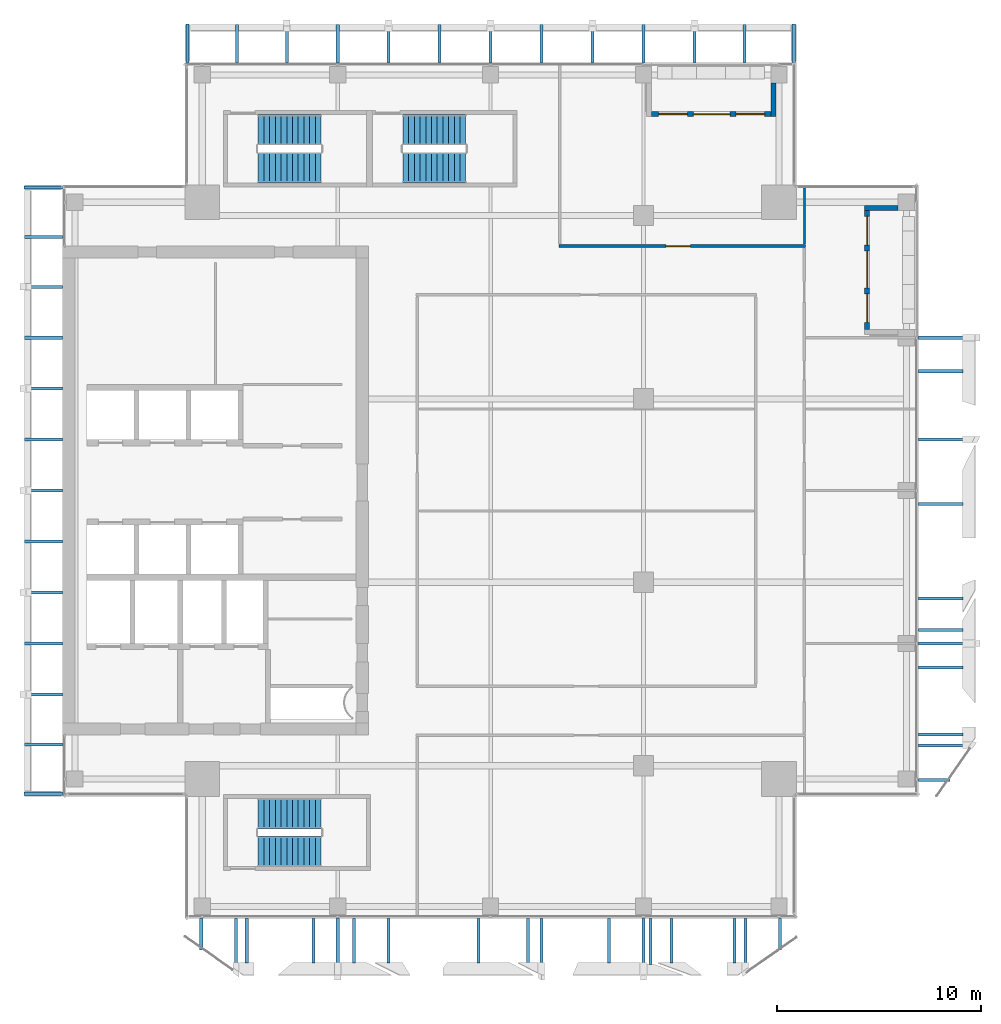
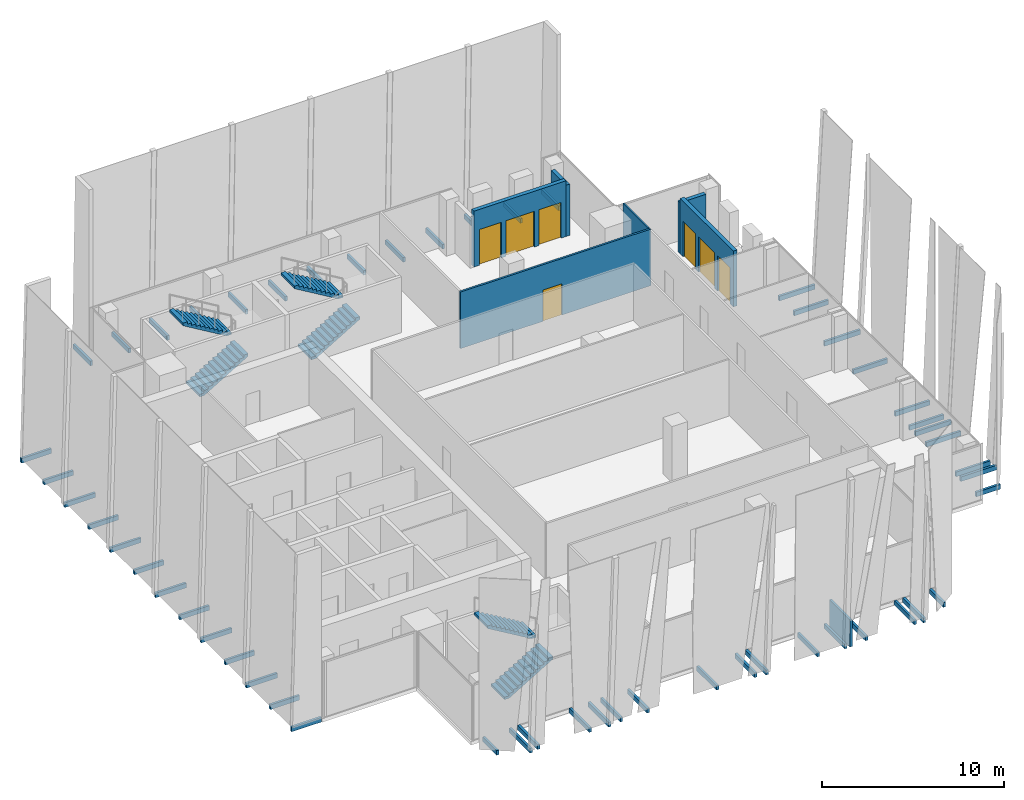
# One storey, part 28 of 32: 54 discrete accessories, 6 stair flights, 6 walls, 4 windows, 3 doors, 7 openings, 3 elements without a shape of their own.
"""IFC4 building model written with IfcOpenShell, lengths in metres."""

from ifc_helpers import new_model, si_unit, direction, frame, frame_2d, origin, origin_2d, place, context, subcontext, project, spatial, polyline, rectangle, outline, extrude, source, transform, mapped, material, layer, layer_set, type_object, element, fill, aggregate, save


model = new_model("IFC4")

# Units and contexts
model_context = context("Model", 3, precision=1e-05, world=origin(), true_north=direction((0.0, 1.0)))
body_context = subcontext(model_context, "Body", "Model", "MODEL_VIEW")
ifc_project = project(units=[si_unit("LENGTHUNIT", "METRE"), si_unit("AREAUNIT", "SQUARE_METRE"), si_unit("VOLUMEUNIT", "CUBIC_METRE"), si_unit("PLANEANGLEUNIT", "RADIAN"), si_unit("MASSUNIT", "GRAM", prefix="KILO")], contexts=[model_context])

# Site, building, storey
site_placement = place(None, origin())
site = spatial("IfcSite", under=ifc_project, at=site_placement, CompositionType="ELEMENT")
building_placement = place(site_placement, origin())
building = spatial("IfcBuilding", under=site, at=building_placement, Name="Khomas Fold Tower", CompositionType="ELEMENT")
storey_placement = place(building_placement, frame((0.0, 0.0, 306.199951171875)))
storey = spatial("IfcBuildingStorey", under=building, at=storey_placement, Name="L69", CompositionType="ELEMENT", Elevation=306.199951171875)

# Wall, openings, door, windows
ifc_material_1 = material(Name="Natural stone", Category="masonry")
ifc_layer_1 = layer(ifc_material_1, 0.0400390625)
ifc_material_2 = material(Name="Mineral wool insulation", Category="insulation")
ifc_layer_2 = layer(ifc_material_2, 0.10009765625)
ifc_material_3 = material(Name="Masonry", Category="masonry")
ifc_layer_3 = layer(ifc_material_3, 0.110107421875)
ifc_layer_set_1 = layer_set([ifc_layer_1, ifc_layer_2, ifc_layer_3], Name="Stone-faced insulated masonry")
wall_type_1 = type_object("IfcWallType", Name="BL-Balcony wall", PredefinedType="SOLIDWALL", material=ifc_layer_set_1)
shared_shape_1 = source(origin(), body_context, "Body", "SweptSolid", [
    extrude(rectangle(XDim=5.85009765625, YDim=0.25, at=frame_2d((2.925048828125, 0.0))), origin(), (0.0, 0.0, 1.0), 3.75),
])
wall_1_placement = place(storey_placement, frame((45.47509765625, 34.89990234375, 0.0), z_axis=(0.0, 0.0, 1.0), x_axis=(0.0, 1.0, 0.0)))
wall_1 = element("IfcWall", 1, at=wall_1_placement, inside=storey, type_object=wall_type_1, Name="Balcony wall BAL-L69-E4", PredefinedType="SOLIDWALL", context=body_context, shape_type="MappedRepresentation", body=[
    mapped(shared_shape_1, transform((0.0, 0.0, 0.0))),
])
shared_shape_2 = source(origin(), body_context, "Body", "SweptSolid", [
    extrude(rectangle(XDim=1.39990234375, YDim=2.39990234375, at=frame_2d((0.699951171875, 1.199951171875))), frame((0.0, 0.135009765625, 0.0), z_axis=(0.0, -1.0, 0.0), x_axis=(1.0, 0.0, 0.0)), (0.0, 0.0, 1.0), 0.27001953125),
])
opening_1_placement = place(wall_1_placement, frame((0.35009765625, 0.0, 0.0)))
opening_1 = element("IfcOpeningElement", 2, at=opening_1_placement, cuts=wall_1, Name="Opening BL-W6", PredefinedType="OPENING", context=body_context, shape_type="MappedRepresentation", body=[
    mapped(shared_shape_2, transform((0.0, 0.0, 0.0))),
])
opening_2_placement = place(wall_1_placement, frame((4.14990234375, 0.0, 0.0)))
opening_2 = element("IfcOpeningElement", 3, at=opening_2_placement, cuts=wall_1, Name="Opening BL-W6", PredefinedType="OPENING", context=body_context, shape_type="MappedRepresentation", body=[
    mapped(shared_shape_2, transform((0.0, 0.0, 0.0))),
])
shared_shape_3 = source(origin(), body_context, "Body", "SweptSolid", [
    extrude(rectangle(XDim=1.800048828125, YDim=2.39990234375, at=frame_2d((0.89990234375, 1.199951171875))), frame((0.0, 0.135009765625, 0.0), z_axis=(0.0, -1.0, 0.0), x_axis=(1.0, 0.0, 0.0)), (0.0, 0.0, 1.0), 0.27001953125),
])
opening_3_placement = place(wall_1_placement, frame((2.050048828125, 0.0, 0.0)))
opening_3 = element("IfcOpeningElement", 4, at=opening_3_placement, cuts=wall_1, Name="Opening BD691", PredefinedType="OPENING", context=body_context, shape_type="MappedRepresentation", body=[
    mapped(shared_shape_3, transform((0.0, 0.0, 0.0))),
])
ifc_material_4 = material(Name="Aluminium framed double glazing", Category="aluminium")
door_type_1 = type_object("IfcDoorType", Name="BL-Glazed balcony door 1800 x 2400", OperationType="DOUBLE_DOOR_DOUBLE_SWING", PredefinedType="DOOR", material=ifc_material_4)
shared_shape_4 = source(origin(), body_context, "Body", "SweptSolid", [
    extrude(rectangle(XDim=1.800048828125, YDim=2.39990234375, at=frame_2d((0.89990234375, 1.199951171875))), frame((0.0, 0.02490234375, 0.0), z_axis=(0.0, -1.0, 0.0), x_axis=(1.0, 0.0, 0.0)), (0.0, 0.0, 1.0), 0.050048828125),
])
door_1_placement = place(opening_3_placement, origin())
door_1 = element("IfcDoor", 5, at=door_1_placement, inside=storey, type_object=door_type_1, Name="Balcony door BD691", OperationType="DOUBLE_DOOR_DOUBLE_SWING", OverallHeight=2.39990234375, OverallWidth=1.800048828125, PredefinedType="DOOR", context=body_context, shape_type="MappedRepresentation", body=[
    mapped(shared_shape_4, transform((0.0, 0.0, 0.0))),
])
fill(opening_3, door_1)
ifc_material_5 = material(Name="Aluminium framed double glazing", Category="aluminium")
window_type = type_object("IfcWindowType", Name="BL-Fixed glazing 1400 x 2400", PartitioningType="SINGLE_PANEL", PredefinedType="WINDOW", material=ifc_material_5)
shared_shape_5 = source(origin(), body_context, "Body", "SweptSolid", [
    extrude(rectangle(XDim=1.39990234375, YDim=2.39990234375, at=frame_2d((0.699951171875, 1.199951171875))), frame((0.0, 0.030029296875, 0.0), z_axis=(0.0, -1.0, 0.0), x_axis=(1.0, 0.0, 0.0)), (0.0, 0.0, 1.0), 0.06005859375),
])
window_1_placement = place(opening_1_placement, origin())
window_1 = element("IfcWindow", 6, at=window_1_placement, inside=storey, type_object=window_type, Name="Balcony glazing BAL-L69-E4-1", OverallHeight=2.39990234375, OverallWidth=1.39990234375, PartitioningType="SINGLE_PANEL", PredefinedType="WINDOW", context=body_context, shape_type="MappedRepresentation", body=[
    mapped(shared_shape_5, transform((0.0, 0.0, 0.0))),
])
fill(opening_1, window_1)
window_2_placement = place(opening_2_placement, origin())
window_2 = element("IfcWindow", 7, at=window_2_placement, inside=storey, type_object=window_type, Name="Balcony glazing BAL-L69-E4-2", OverallHeight=2.39990234375, OverallWidth=1.39990234375, PartitioningType="SINGLE_PANEL", PredefinedType="WINDOW", context=body_context, shape_type="MappedRepresentation", body=[
    mapped(shared_shape_5, transform((0.0, 0.0, 0.0))),
])
fill(opening_2, window_2)

wall_2_placement = place(storey_placement, frame((34.89990234375, 45.47509765625, 0.0), z_axis=(0.0, 0.0, 1.0), x_axis=(1.0, 0.0, 0.0)))
wall_2 = element("IfcWall", 8, at=wall_2_placement, inside=storey, type_object=wall_type_1, Name="Balcony wall BAL-L69-N4", PredefinedType="SOLIDWALL", context=body_context, shape_type="MappedRepresentation", body=[
    mapped(shared_shape_1, transform((0.0, 0.0, 0.0))),
])
opening_4_placement = place(wall_2_placement, frame((0.35009765625, 0.0, 0.0)))
opening_4 = element("IfcOpeningElement", 9, at=opening_4_placement, cuts=wall_2, Name="Opening BL-W6", PredefinedType="OPENING", context=body_context, shape_type="MappedRepresentation", body=[
    mapped(shared_shape_2, transform((0.0, 0.0, 0.0))),
])
opening_5_placement = place(wall_2_placement, frame((4.14990234375, 0.0, 0.0)))
opening_5 = element("IfcOpeningElement", 10, at=opening_5_placement, cuts=wall_2, Name="Opening BL-W6", PredefinedType="OPENING", context=body_context, shape_type="MappedRepresentation", body=[
    mapped(shared_shape_2, transform((0.0, 0.0, 0.0))),
])
opening_6_placement = place(wall_2_placement, frame((2.050048828125, 0.0, 0.0)))
opening_6 = element("IfcOpeningElement", 11, at=opening_6_placement, cuts=wall_2, Name="Opening BD692", PredefinedType="OPENING", context=body_context, shape_type="MappedRepresentation", body=[
    mapped(shared_shape_3, transform((0.0, 0.0, 0.0))),
])
door_2_placement = place(opening_6_placement, origin())
door_2 = element("IfcDoor", 12, at=door_2_placement, inside=storey, type_object=door_type_1, Name="Balcony door BD692", OperationType="DOUBLE_DOOR_DOUBLE_SWING", OverallHeight=2.39990234375, OverallWidth=1.800048828125, PredefinedType="DOOR", context=body_context, shape_type="MappedRepresentation", body=[
    mapped(shared_shape_4, transform((0.0, 0.0, 0.0))),
])
fill(opening_6, door_2)
window_3_placement = place(opening_4_placement, origin())
window_3 = element("IfcWindow", 13, at=window_3_placement, inside=storey, type_object=window_type, Name="Balcony glazing BAL-L69-N4-1", OverallHeight=2.39990234375, OverallWidth=1.39990234375, PartitioningType="SINGLE_PANEL", PredefinedType="WINDOW", context=body_context, shape_type="MappedRepresentation", body=[
    mapped(shared_shape_5, transform((0.0, 0.0, 0.0))),
])
fill(opening_4, window_3)
window_4_placement = place(opening_5_placement, origin())
window_4 = element("IfcWindow", 14, at=window_4_placement, inside=storey, type_object=window_type, Name="Balcony glazing BAL-L69-N4-2", OverallHeight=2.39990234375, OverallWidth=1.39990234375, PartitioningType="SINGLE_PANEL", PredefinedType="WINDOW", context=body_context, shape_type="MappedRepresentation", body=[
    mapped(shared_shape_5, transform((0.0, 0.0, 0.0))),
])
fill(opening_5, window_4)

# Walls
shared_shape_6 = source(origin(), body_context, "Body", "SweptSolid", [
    extrude(rectangle(XDim=1.64990234375, YDim=0.25, at=frame_2d((0.824951171875, 0.0))), origin(), (0.0, 0.0, 1.0), 3.449951171875),
])
for number, where, z_axis, x_axis, name in (
    (15, (47.0, 40.875, 0.0), (0.0, 0.0, 1.0), (-1.0, 0.0, 0.0), "Balcony return wall BAL-L69-E4-hi"),
    (16, (40.875, 47.0, 0.0), (0.0, 0.0, 1.0), (0.0, -1.0, 0.0), "Balcony return wall BAL-L69-N4-hi"),
):
    element("IfcWall", number, at=place(storey_placement, frame(where, z_axis=z_axis, x_axis=x_axis)), inside=storey, type_object=wall_type_1, Name=name, PredefinedType="SOLIDWALL", context=body_context, shape_type="MappedRepresentation", body=[
        mapped(shared_shape_6, transform((0.0, 0.0, 0.0))),
    ])
ifc_material_6 = material(Name="Plasterboard partition")
ifc_layer_4 = layer(ifc_material_6, 0.10009765625)
ifc_layer_set_2 = layer_set([ifc_layer_4], Name="Plasterboard partition")
wall_type_2 = type_object("IfcWallType", Name="Partition PW1 100", PredefinedType="PARTITIONING", material=ifc_layer_set_2)
shared_shape_7 = source(origin(), body_context, "Body", "SweptSolid", [
    extrude(rectangle(XDim=2.75, YDim=0.10009765625, at=frame_2d((1.375, 0.0))), origin(), (0.0, 0.0, 1.0), 3.800048828125),
])
wall_3_placement = place(storey_placement, frame((42.39990234375, 39.10009765625, 0.0), z_axis=(0.0, 0.0, 1.0), x_axis=(0.0, 1.0, 0.0)))
element("IfcWall", 17, at=wall_3_placement, inside=storey, type_object=wall_type_2, Name="Partition", PredefinedType="PARTITIONING", context=body_context, shape_type="MappedRepresentation", body=[
    mapped(shared_shape_7, transform((0.0, 0.0, 0.0))),
])

# Wall, opening, door
ifc_material_7 = material(Name="Plasterboard partition")
ifc_layer_5 = layer(ifc_material_7, 0.125)
ifc_layer_set_3 = layer_set([ifc_layer_5], Name="Plasterboard partition")
wall_type_3 = type_object("IfcWallType", Name="Partition PW2 125", PredefinedType="PARTITIONING", material=ifc_layer_set_3)
shared_shape_8 = source(origin(), body_context, "Body", "SweptSolid", [
    extrude(rectangle(XDim=12.099853515625, YDim=0.125, at=frame_2d((6.0498046875, 0.0))), origin(), (0.0, 0.0, 1.0), 3.800048828125),
])
wall_4_placement = place(storey_placement, frame((30.35009765625, 39.0, 0.0), z_axis=(0.0, 0.0, 1.0), x_axis=(1.0, 0.0, 0.0)))
wall_4 = element("IfcWall", 18, at=wall_4_placement, inside=storey, type_object=wall_type_3, Name="Partition", PredefinedType="PARTITIONING", context=body_context, shape_type="MappedRepresentation", body=[
    mapped(shared_shape_8, transform((0.0, 0.0, 0.0))),
])
shared_shape_9 = source(origin(), body_context, "Body", "SweptSolid", [
    extrude(rectangle(XDim=1.199951171875, YDim=2.10009765625, at=frame_2d((0.60009765625, 1.050048828125))), frame((0.0, 0.072509765625, 0.0), z_axis=(0.0, -1.0, 0.0), x_axis=(1.0, 0.0, 0.0)), (0.0, 0.0, 1.0), 0.14501953125),
])
opening_7_placement = place(wall_4_placement, frame((5.25, 0.0, 0.0)))
opening_7 = element("IfcOpeningElement", 19, at=opening_7_placement, cuts=wall_4, Name="Opening 0013", PredefinedType="OPENING", context=body_context, shape_type="MappedRepresentation", body=[
    mapped(shared_shape_9, transform((0.0, 0.0, 0.0))),
])
ifc_material_8 = material(Name="Timber door leaf", Category="wood")
door_type_2 = type_object("IfcDoorType", Name="Door 1200x2100 left-hand", OperationType="SINGLE_SWING_LEFT", PredefinedType="DOOR", material=ifc_material_8)
shared_shape_10 = source(origin(), body_context, "Body", "SweptSolid", [
    extrude(rectangle(XDim=1.199951171875, YDim=2.10009765625, at=frame_2d((0.60009765625, 1.050048828125))), frame((0.0, 0.02490234375, 0.0), z_axis=(0.0, -1.0, 0.0), x_axis=(1.0, 0.0, 0.0)), (0.0, 0.0, 1.0), 0.050048828125),
])
door_3_placement = place(opening_7_placement, origin())
door_3 = element("IfcDoor", 20, at=door_3_placement, inside=storey, type_object=door_type_2, Name="Door", OperationType="SINGLE_SWING_LEFT", OverallHeight=2.10009765625, OverallWidth=1.199951171875, PredefinedType="DOOR", context=body_context, shape_type="MappedRepresentation", body=[
    mapped(shared_shape_10, transform((0.0, 0.0, 0.0))),
])
fill(opening_7, door_3)

# Stair, stair flights
ifc_material_9 = material(Name="Concrete C40/50", Category="concrete")
stair_type_1 = type_object("IfcStairType", Name="Stair ST1", PredefinedType="HALF_TURN_STAIR", material=ifc_material_9)
stair_1_placement = place(storey_placement, origin())
stair_1 = element("IfcStair", 21, at=stair_1_placement, inside=storey, type_object=stair_type_1, Name="L69 ST1", PredefinedType="HALF_TURN_STAIR")
ifc_material_10 = material(Name="Concrete C40/50", Category="concrete")
stair_flight_type_1 = type_object("IfcStairFlightType", Name="Stair flight 1500 ST1", PredefinedType="STRAIGHT", material=ifc_material_10)
shared_shape_11 = source(origin(), body_context, "Body", "SweptSolid", [
    extrude(outline(polyline([(0.0, 0.0), (0.0, 0.012939453125), (0.0, 0.025634765625), (0.0, 0.03857421875), (0.0, 0.05126953125), (0.0, 0.064208984375), (0.0, 0.076904296875), (0.0, 0.08984375), (0.0, 0.1025390625), (0.0, 0.115478515625), (0.0, 0.128173828125), (0.0, 0.14111328125), (0.0, 0.15380859375), (0.0, 0.166748046875), (0.280029296875, 0.166748046875), (0.280029296875, 0.333251953125), (0.56005859375, 0.333251953125), (0.56005859375, 0.5), (0.840087890625, 0.5), (0.840087890625, 0.666748046875), (1.1201171875, 0.666748046875), (1.1201171875, 0.833251953125), (1.39990234375, 0.833251953125), (1.39990234375, 1.0), (1.679931640625, 1.0), (1.679931640625, 1.166748046875), (1.9599609375, 1.166748046875), (1.9599609375, 1.333251953125), (2.239990234375, 1.333251953125), (2.239990234375, 1.5), (2.52001953125, 1.5), (2.52001953125, 1.666748046875), (2.800048828125, 1.666748046875), (2.800048828125, 1.833251953125), (3.080078125, 1.833251953125), (3.080078125, 2.0), (3.080078125, 1.973876953125), (3.080078125, 1.947509765625), (3.080078125, 1.92138671875), (3.080078125, 1.89501953125), (3.080078125, 1.868896484375), (3.080078125, 1.842529296875), (3.080078125, 1.81640625), (3.080078125, 1.7900390625), (3.080078125, 1.763916015625), (3.080078125, 1.737548828125), (3.080078125, 1.71142578125), (3.080078125, 1.68505859375), (3.080078125, 1.658935546875), (0.29296875, 0.0), (0.0, 0.0)])), frame((0.0, 0.75, 0.0), z_axis=(0.0, -1.0, 0.0), x_axis=(1.0, 0.0, 0.0)), (0.0, 0.0, 1.0), 1.5),
])
stair_flight_1_placement = place(storey_placement, frame((15.60009765625, 42.85009765625, 0.0), z_axis=(0.0, 0.0, 1.0), x_axis=(1.0, 0.0, 0.0)))
stair_flight_1 = element("IfcStairFlight", 22, at=stair_flight_1_placement, type_object=stair_flight_type_1, Name="ST1 flight 1", NumberOfRisers=12, NumberOfTreads=11, PredefinedType="STRAIGHT", RiserHeight=0.166666667, TreadLength=0.28, context=body_context, shape_type="MappedRepresentation", body=[
    mapped(shared_shape_11, transform((0.0, 0.0, 0.0))),
])
stair_flight_2_placement = place(storey_placement, frame((18.679931640625, 44.699951171875, 2.0), z_axis=(0.0, 0.0, 1.0), x_axis=(-1.0, 0.0, 0.0)))
stair_flight_2 = element("IfcStairFlight", 23, at=stair_flight_2_placement, type_object=stair_flight_type_1, Name="ST1 flight 2", NumberOfRisers=12, NumberOfTreads=11, PredefinedType="STRAIGHT", RiserHeight=0.166666667, TreadLength=0.28, context=body_context, shape_type="MappedRepresentation", body=[
    mapped(shared_shape_11, transform((0.0, 0.0, 0.0))),
])
aggregate(stair_1, [stair_flight_1, stair_flight_2])

ifc_material_11 = material(Name="Concrete C40/50", Category="concrete")
stair_type_2 = type_object("IfcStairType", Name="Stair ST2", PredefinedType="HALF_TURN_STAIR", material=ifc_material_11)
stair_2_placement = place(storey_placement, origin())
stair_2 = element("IfcStair", 24, at=stair_2_placement, inside=storey, type_object=stair_type_2, Name="L69 ST2", PredefinedType="HALF_TURN_STAIR")
ifc_material_12 = material(Name="Concrete C40/50", Category="concrete")
stair_flight_type_2 = type_object("IfcStairFlightType", Name="Stair flight 1500 ST2", PredefinedType="STRAIGHT", material=ifc_material_12)
stair_flight_3_placement = place(storey_placement, frame((15.60009765625, 9.300048828125, 0.0), z_axis=(0.0, 0.0, 1.0), x_axis=(1.0, 0.0, 0.0)))
stair_flight_3 = element("IfcStairFlight", 25, at=stair_flight_3_placement, type_object=stair_flight_type_2, Name="ST2 flight 1", NumberOfRisers=12, NumberOfTreads=11, PredefinedType="STRAIGHT", RiserHeight=0.166666667, TreadLength=0.28, context=body_context, shape_type="MappedRepresentation", body=[
    mapped(shared_shape_11, transform((0.0, 0.0, 0.0))),
])
stair_flight_4_placement = place(storey_placement, frame((18.679931640625, 11.14990234375, 2.0), z_axis=(0.0, 0.0, 1.0), x_axis=(-1.0, 0.0, 0.0)))
stair_flight_4 = element("IfcStairFlight", 26, at=stair_flight_4_placement, type_object=stair_flight_type_2, Name="ST2 flight 2", NumberOfRisers=12, NumberOfTreads=11, PredefinedType="STRAIGHT", RiserHeight=0.166666667, TreadLength=0.28, context=body_context, shape_type="MappedRepresentation", body=[
    mapped(shared_shape_11, transform((0.0, 0.0, 0.0))),
])
aggregate(stair_2, [stair_flight_3, stair_flight_4])

ifc_material_13 = material(Name="Concrete C40/50", Category="concrete")
stair_type_3 = type_object("IfcStairType", Name="Stair ST3", PredefinedType="HALF_TURN_STAIR", material=ifc_material_13)
stair_3_placement = place(storey_placement, origin())
stair_3 = element("IfcStair", 27, at=stair_3_placement, inside=storey, type_object=stair_type_3, Name="L69 ST3", PredefinedType="HALF_TURN_STAIR")
ifc_material_14 = material(Name="Concrete C40/50", Category="concrete")
stair_flight_type_3 = type_object("IfcStairFlightType", Name="Stair flight 1500 ST3", PredefinedType="STRAIGHT", material=ifc_material_14)
stair_flight_5_placement = place(storey_placement, frame((22.699951171875, 42.85009765625, 0.0), z_axis=(0.0, 0.0, 1.0), x_axis=(1.0, 0.0, 0.0)))
stair_flight_5 = element("IfcStairFlight", 28, at=stair_flight_5_placement, type_object=stair_flight_type_3, Name="ST3 flight 1", NumberOfRisers=12, NumberOfTreads=11, PredefinedType="STRAIGHT", RiserHeight=0.166666667, TreadLength=0.28, context=body_context, shape_type="MappedRepresentation", body=[
    mapped(shared_shape_11, transform((0.0, 0.0, 0.0))),
])
stair_flight_6_placement = place(storey_placement, frame((25.780029296875, 44.699951171875, 2.0), z_axis=(0.0, 0.0, 1.0), x_axis=(-1.0, 0.0, 0.0)))
stair_flight_6 = element("IfcStairFlight", 29, at=stair_flight_6_placement, type_object=stair_flight_type_3, Name="ST3 flight 2", NumberOfRisers=12, NumberOfTreads=11, PredefinedType="STRAIGHT", RiserHeight=0.166666667, TreadLength=0.28, context=body_context, shape_type="MappedRepresentation", body=[
    mapped(shared_shape_11, transform((0.0, 0.0, 0.0))),
])
aggregate(stair_3, [stair_flight_5, stair_flight_6])

# Discrete accessories
ifc_material_15 = material(Name="Stainless steel", Category="steel")
discrete_accessory_type = type_object("IfcDiscreteAccessoryType", Name="SK-Stainless steel stone bracket", PredefinedType="BRACKET", material=ifc_material_15)
shared_shape_12 = source(origin(), body_context, "Body", "SweptSolid", [
    extrude(rectangle(XDim=2.184326171875, YDim=0.14990234375, at=origin_2d()), origin(), (0.0, 0.0, 1.0), 0.31005859375),
])
for number, where, z_axis, x_axis, name in (
    (30, (15.034912109375, 4.90771484375, -0.25), (0.0, 0.0, 1.0), (0.0, -1.0, 0.0), "Stone bracket L69 SG099-2-1"),
    (31, (22.000732421875, 4.90771484375, -0.25), (0.0, 0.0, 1.0), (0.0, -1.0, 0.0), "Stone bracket L69 SG100-4-1"),
    (32, (18.31298828125, 4.90771484375, -0.25), (0.0, 0.0, 1.0), (0.0, -1.0, 0.0), "Stone bracket L69 SG099-5-1"),
    (33, (20.300048828125, 4.90771484375, -0.25), (0.0, 0.0, 1.0), (0.0, -1.0, 0.0), "Stone bracket L69 SG100-7-1"),
    (34, (28.83251953125, 4.90771484375, -0.25), (0.0, 0.0, 1.0), (0.0, -1.0, 0.0), "Stone bracket L69 SG101-8-1"),
    (35, (26.405517578125, 4.90771484375, -0.25), (0.0, 0.0, 1.0), (0.0, -1.0, 0.0), "Stone bracket L69 SG101-10-1"),
    (36, (35.878173828125, 4.90771484375, -0.25), (0.0, 0.0, 1.0), (0.0, -1.0, 0.0), "Stone bracket L69 SG103-11-1"),
    (37, (32.80615234375, 4.90771484375, -0.25), (0.0, 0.0, 1.0), (0.0, -1.0, 0.0), "Stone bracket L69 SG102-12-1"),
    (38, (38.965087890625, 4.90771484375, -0.25), (0.0, 0.0, 1.0), (0.0, -1.0, 0.0), "Stone bracket L69 SG103-15-1"),
    (39, (49.09228515625, 15.034912109375, -0.25), (0.0, 0.0, 1.0), (1.0, 0.0, 0.0), "Stone bracket L69 EG099-2-1"),
    (40, (49.09228515625, 21.712158203125, -0.25), (0.0, 0.0, 1.0), (1.0, 0.0, 0.0), "Stone bracket L69 EG100-4-1"),
    (41, (49.09228515625, 18.31298828125, -0.25), (0.0, 0.0, 1.0), (1.0, 0.0, 0.0), "Stone bracket L69 EG099-5-1"),
    (42, (49.09228515625, 20.15576171875, -0.25), (0.0, 0.0, 1.0), (1.0, 0.0, 0.0), "Stone bracket L69 EG100-7-1"),
    (43, (49.09228515625, 26.35302734375, -0.25), (0.0, 0.0, 1.0), (1.0, 0.0, 0.0), "Stone bracket L69 EG101-9-1"),
    (44, (49.09228515625, 32.8544921875, -0.25), (0.0, 0.0, 1.0), (1.0, 0.0, 0.0), "Stone bracket L69 EG102-10-1"),
):
    element("IfcDiscreteAccessory", number, at=place(storey_placement, frame(where, z_axis=z_axis, x_axis=x_axis)), inside=storey, type_object=discrete_accessory_type, Name=name, PredefinedType="BRACKET", context=body_context, shape_type="MappedRepresentation", body=[
        mapped(shared_shape_12, transform((0.0, 0.0, 0.0))),
    ])
shared_shape_13 = source(origin(), body_context, "Body", "SweptSolid", [
    extrude(rectangle(XDim=2.279296875, YDim=0.14990234375, at=origin_2d()), origin(), (0.0, 0.0, 1.0), 0.31005859375),
])
for number, where, z_axis, x_axis, name in (
    (45, (14.5, 4.8603515625, -0.25), (0.0, 0.0, 1.0), (0.0, -1.0, 0.0), "Stone bracket L69 SM099-1-1"),
    (46, (19.5, 4.8603515625, -0.25), (0.0, 0.0, 1.0), (0.0, -1.0, 0.0), "Stone bracket L69 SM100-6-1"),
    (47, (29.5, 4.8603515625, -0.25), (0.0, 0.0, 1.0), (0.0, -1.0, 0.0), "Stone bracket L69 SM102-9-1"),
    (48, (34.5, 4.8603515625, -0.25), (0.0, 0.0, 1.0), (0.0, -1.0, 0.0), "Stone bracket L69 SM103-13-1"),
    (49, (39.5, 4.8603515625, -0.25), (0.0, 0.0, 1.0), (0.0, -1.0, 0.0), "Stone bracket L69 SM104-16-1"),
    (50, (49.1396484375, 14.5, -0.25), (0.0, 0.0, 1.0), (1.0, 0.0, 0.0), "Stone bracket L69 EM099-1-1"),
    (51, (49.1396484375, 19.5, -0.25), (0.0, 0.0, 1.0), (1.0, 0.0, 0.0), "Stone bracket L69 EM100-6-1"),
    (52, (49.1396484375, 29.5, -0.25), (0.0, 0.0, 1.0), (1.0, 0.0, 0.0), "Stone bracket L69 EM102-8-1"),
    (53, (49.1396484375, 34.5, -0.25), (0.0, 0.0, 1.0), (1.0, 0.0, 0.0), "Stone bracket L69 EM103-11-1"),
):
    element("IfcDiscreteAccessory", number, at=place(storey_placement, frame(where, z_axis=z_axis, x_axis=x_axis)), inside=storey, type_object=discrete_accessory_type, Name=name, PredefinedType="BRACKET", context=body_context, shape_type="MappedRepresentation", body=[
        mapped(shared_shape_13, transform((0.0, 0.0, 0.0))),
    ])
shared_shape_14 = source(origin(), body_context, "Body", "SweptSolid", [
    extrude(rectangle(XDim=1.5380859375, YDim=0.14990234375, at=origin_2d()), origin(), (0.0, 0.0, 1.0), 0.31005859375),
])
for number, where, z_axis, x_axis, name in (
    (54, (12.80224609375, 5.23095703125, -0.25), (0.0, 0.0, 1.0), (0.0, -1.0, 0.0), "Stone bracket L69 SG098-3-1"),
    (55, (41.19775390625, 5.23095703125, -0.25), (0.0, 0.0, 1.0), (0.0, -1.0, 0.0), "Stone bracket L69 SG104-17-1"),
    (56, (48.76904296875, 12.80224609375, -0.25), (0.0, 0.0, 1.0), (1.0, 0.0, 0.0), "Stone bracket L69 EG098-3-1"),
):
    element("IfcDiscreteAccessory", number, at=place(storey_placement, frame(where, z_axis=z_axis, x_axis=x_axis)), inside=storey, type_object=discrete_accessory_type, Name=name, PredefinedType="BRACKET", context=body_context, shape_type="MappedRepresentation", body=[
        mapped(shared_shape_14, transform((0.0, 0.0, 0.0))),
    ])
shared_shape_15 = source(origin(), body_context, "Body", "SweptSolid", [
    extrude(rectangle(XDim=2.262939453125, YDim=0.14990234375, at=origin_2d()), origin(), (0.0, 0.0, 1.0), 1.81005859375),
])
discrete_accessory_placement = place(storey_placement, frame((34.84521484375, 4.868408203125, -0.25), z_axis=(0.0, 0.0, 1.0), x_axis=(0.0, -1.0, 0.0)))
element("IfcDiscreteAccessory", 57, at=discrete_accessory_placement, inside=storey, type_object=discrete_accessory_type, Name="Stone bracket L69 SG103-14-1", PredefinedType="BRACKET", context=body_context, shape_type="MappedRepresentation", body=[
    mapped(shared_shape_15, transform((0.0, 0.0, 0.0))),
])
shared_shape_16 = source(origin(), body_context, "Body", "SweptSolid", [
    extrude(rectangle(XDim=1.864013671875, YDim=0.14990234375, at=origin_2d()), origin(), (0.0, 0.0, 1.0), 0.31005859375),
])
for number, where, z_axis, x_axis, name in (
    (58, (14.550048828125, 48.931884765625, -0.25), (0.0, 0.0, 1.0), (0.0, 1.0, 0.0), "Stone bracket L69 PLNG01"),
    (59, (19.5, 48.931884765625, -0.25), (0.0, 0.0, 1.0), (0.0, 1.0, 0.0), "Stone bracket L69 PLNG03"),
    (60, (24.5, 48.931884765625, -0.25), (0.0, 0.0, 1.0), (0.0, 1.0, 0.0), "Stone bracket L69 PLNG05"),
    (61, (29.5, 48.931884765625, -0.25), (0.0, 0.0, 1.0), (0.0, 1.0, 0.0), "Stone bracket L69 PLNG07"),
    (62, (34.5, 48.931884765625, -0.25), (0.0, 0.0, 1.0), (0.0, 1.0, 0.0), "Stone bracket L69 PLNG09"),
    (63, (39.449951171875, 48.931884765625, -0.25), (0.0, 0.0, 1.0), (0.0, 1.0, 0.0), "Stone bracket L69 PLNG11"),
    (64, (5.068115234375, 14.550048828125, -0.25), (0.0, 0.0, 1.0), (-1.0, 0.0, 0.0), "Stone bracket L69 PLWG01"),
    (65, (5.068115234375, 19.5, -0.25), (0.0, 0.0, 1.0), (-1.0, 0.0, 0.0), "Stone bracket L69 PLWG03"),
    (66, (5.068115234375, 24.5, -0.25), (0.0, 0.0, 1.0), (-1.0, 0.0, 0.0), "Stone bracket L69 PLWG05"),
    (67, (5.068115234375, 29.5, -0.25), (0.0, 0.0, 1.0), (-1.0, 0.0, 0.0), "Stone bracket L69 PLWG07"),
    (68, (5.068115234375, 34.5, -0.25), (0.0, 0.0, 1.0), (-1.0, 0.0, 0.0), "Stone bracket L69 PLWG09"),
    (69, (5.068115234375, 39.449951171875, -0.25), (0.0, 0.0, 1.0), (-1.0, 0.0, 0.0), "Stone bracket L69 PLWG11"),
):
    element("IfcDiscreteAccessory", number, at=place(storey_placement, frame(where, z_axis=z_axis, x_axis=x_axis)), inside=storey, type_object=discrete_accessory_type, Name=name, PredefinedType="BRACKET", context=body_context, shape_type="MappedRepresentation", body=[
        mapped(shared_shape_16, transform((0.0, 0.0, 0.0))),
    ])
shared_shape_17 = source(origin(), body_context, "Body", "SweptSolid", [
    extrude(rectangle(XDim=1.958984375, YDim=0.14990234375, at=origin_2d()), origin(), (0.0, 0.0, 1.0), 0.31005859375),
])
for number, where, z_axis, x_axis, name in (
    (70, (17.0, 48.9794921875, -0.25), (0.0, 0.0, 1.0), (0.0, 1.0, 0.0), "Stone bracket L69 PLNM02"),
    (71, (22.0, 48.9794921875, -0.25), (0.0, 0.0, 1.0), (0.0, 1.0, 0.0), "Stone bracket L69 PLNM04"),
    (72, (27.0, 48.9794921875, -0.25), (0.0, 0.0, 1.0), (0.0, 1.0, 0.0), "Stone bracket L69 PLNM06"),
    (73, (32.0, 48.9794921875, -0.25), (0.0, 0.0, 1.0), (0.0, 1.0, 0.0), "Stone bracket L69 PLNM08"),
    (74, (37.0, 48.9794921875, -0.25), (0.0, 0.0, 1.0), (0.0, 1.0, 0.0), "Stone bracket L69 PLNM10"),
    (75, (5.0205078125, 17.0, -0.25), (0.0, 0.0, 1.0), (-1.0, 0.0, 0.0), "Stone bracket L69 PLWM02"),
    (76, (5.0205078125, 22.0, -0.25), (0.0, 0.0, 1.0), (-1.0, 0.0, 0.0), "Stone bracket L69 PLWM04"),
    (77, (5.0205078125, 27.0, -0.25), (0.0, 0.0, 1.0), (-1.0, 0.0, 0.0), "Stone bracket L69 PLWM06"),
    (78, (5.0205078125, 32.0, -0.25), (0.0, 0.0, 1.0), (-1.0, 0.0, 0.0), "Stone bracket L69 PLWM08"),
    (79, (5.0205078125, 37.0, -0.25), (0.0, 0.0, 1.0), (-1.0, 0.0, 0.0), "Stone bracket L69 PLWM10"),
):
    element("IfcDiscreteAccessory", number, at=place(storey_placement, frame(where, z_axis=z_axis, x_axis=x_axis)), inside=storey, type_object=discrete_accessory_type, Name=name, PredefinedType="BRACKET", context=body_context, shape_type="MappedRepresentation", body=[
        mapped(shared_shape_17, transform((0.0, 0.0, 0.0))),
    ])
shared_shape_18 = source(origin(), body_context, "Body", "SweptSolid", [
    extrude(rectangle(XDim=1.904052734375, YDim=0.14990234375, at=origin_2d()), origin(), (0.0, 0.0, 1.0), 0.31005859375),
])
for number, where, z_axis, x_axis, name in (
    (80, (12.125, 48.951904296875, -0.25), (0.0, 0.0, 1.0), (0.0, 1.0, 0.0), "Stone bracket L69 PLNR1"),
    (81, (41.875, 48.951904296875, -0.25), (0.0, 0.0, 1.0), (0.0, 1.0, 0.0), "Stone bracket L69 PLNR2"),
    (82, (5.048095703125, 12.125, -0.25), (0.0, 0.0, 1.0), (-1.0, 0.0, 0.0), "Stone bracket L69 PLWR1"),
    (83, (5.048095703125, 41.875, -0.25), (0.0, 0.0, 1.0), (-1.0, 0.0, 0.0), "Stone bracket L69 PLWR2"),
):
    element("IfcDiscreteAccessory", number, at=place(storey_placement, frame(where, z_axis=z_axis, x_axis=x_axis)), inside=storey, type_object=discrete_accessory_type, Name=name, PredefinedType="BRACKET", context=body_context, shape_type="MappedRepresentation", body=[
        mapped(shared_shape_18, transform((0.0, 0.0, 0.0))),
    ])

save(model, "model.ifc")
